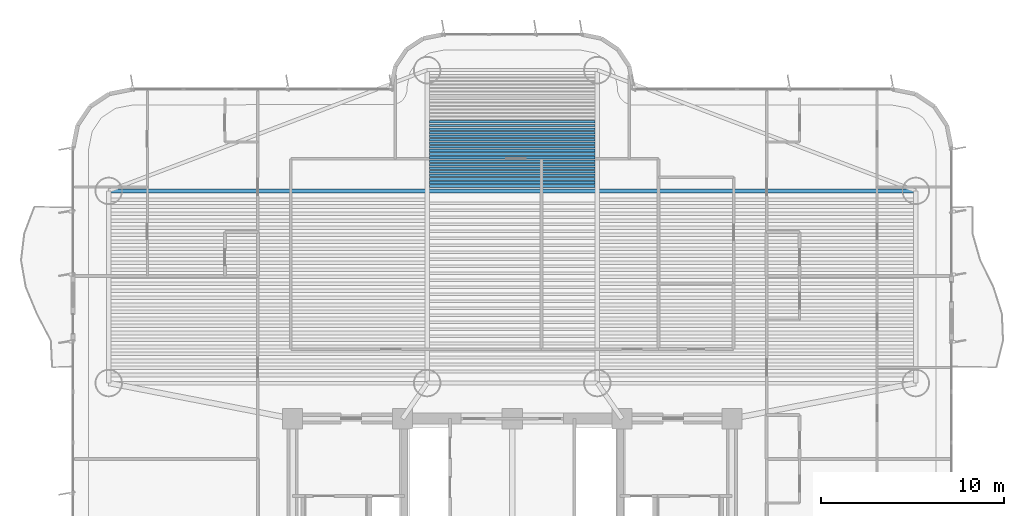
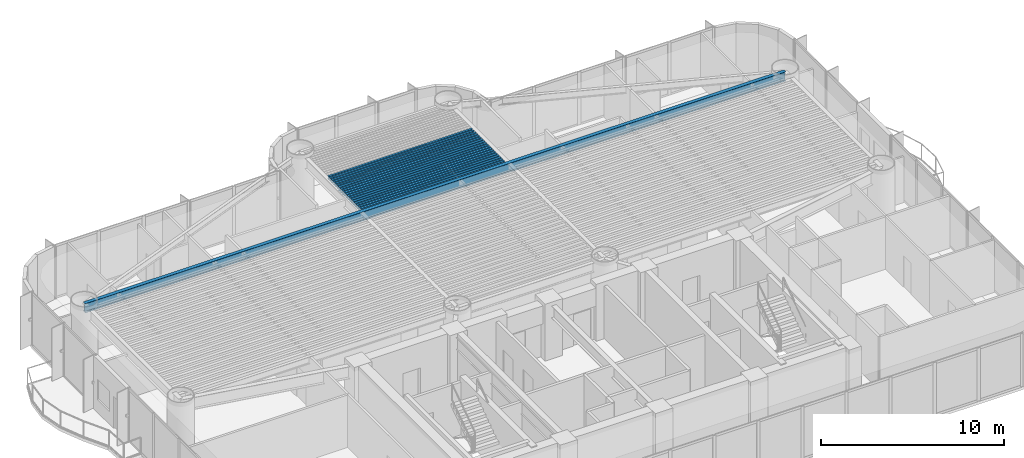
# One storey, part 4 of 18: 20 beams.
"""IFC4 building model written with IfcOpenShell, lengths in metres."""

from ifc_helpers import new_model, si_unit, direction, frame, origin, origin_2d, place, context, subcontext, project, spatial, i_section, extrude, source, transform, mapped, material, material_profile, profile_set, type_object, element, save


model = new_model("IFC4")

# Units and contexts
model_context = context("Model", 3, precision=1e-05, world=origin(), true_north=direction((0.0, 1.0)))
body_context = subcontext(model_context, "Body", "Model", "MODEL_VIEW")
ifc_project = project(units=[si_unit("LENGTHUNIT", "METRE"), si_unit("AREAUNIT", "SQUARE_METRE"), si_unit("VOLUMEUNIT", "CUBIC_METRE"), si_unit("PLANEANGLEUNIT", "RADIAN"), si_unit("MASSUNIT", "GRAM", prefix="KILO")], contexts=[model_context])

# Site, building, storey
site_placement = place(None, origin())
site = spatial("IfcSite", under=ifc_project, at=site_placement, CompositionType="ELEMENT")
building_placement = place(site_placement, origin())
building = spatial("IfcBuilding", under=site, at=building_placement, Name="Brelvock Crest Care Tower", CompositionType="ELEMENT")
storey_placement = place(building_placement, frame((0.0, 0.0, 72.360107421875)))
storey = spatial("IfcBuildingStorey", under=building, at=storey_placement, Name="L18", CompositionType="ELEMENT", Elevation=72.360107421875)

# Beams
ifc_material = material(Name="Steel Grade 350", Category="steel")
ifc_material_profile_1 = material_profile(ifc_material, i_section(OverallWidth=0.22900390625, OverallDepth=0.612060546875, WebThickness=0.011962890625, FlangeThickness=0.01953125, FilletRadius=0.013916015625, at=origin_2d()), Name="610UB125")
ifc_profile_set_1 = profile_set([ifc_material_profile_1], Name="Steel Grade 350")
beam_type_1 = type_object("IfcBeamType", Name="BM-G1", PredefinedType="BEAM", material=ifc_profile_set_1)
shared_shape_1 = source(origin(), body_context, "Body", "SweptSolid", [
    extrude(i_section(OverallWidth=0.22900390625, OverallDepth=0.612060546875, WebThickness=0.011962890625, FlangeThickness=0.01953125, FilletRadius=0.013916015625, at=origin_2d()), origin(), (0.0, 0.0, 1.0), 44.10009765625),
])
beam_placement = place(storey_placement, frame((13.949951171875, 30.449951171875, 3.223876953125), z_axis=(1.0, 0.0, 0.0), x_axis=(0.0, 1.0, 0.0)))
element("IfcBeam", 1, at=beam_placement, inside=storey, type_object=beam_type_1, Name="BM-TWR-L18-11", PredefinedType="BEAM", context=body_context, shape_type="MappedRepresentation", body=[
    mapped(shared_shape_1, transform((0.0, 0.0, 0.0), x_axis=(1.0, 0.0, 0.0), y_axis=(0.0, 1.0, 0.0), z_axis=(0.0, 0.0, 1.0), scale=1.0)),
])
ifc_material_profile_2 = material_profile(ifc_material, i_section(OverallWidth=0.14599609375, OverallDepth=0.256103515625, WebThickness=0.00634765625, FlangeThickness=0.010986328125, FilletRadius=0.0087890625, at=origin_2d()), Name="250UB37.3")
ifc_profile_set_2 = profile_set([ifc_material_profile_2], Name="Steel Grade 350")
beam_type_2 = type_object("IfcBeamType", Name="BM-J3", PredefinedType="JOIST", material=ifc_profile_set_2)
shared_shape_2 = source(origin(), body_context, "Body", "SweptSolid", [
    extrude(i_section(OverallWidth=0.14599609375, OverallDepth=0.256103515625, WebThickness=0.00634765625, FlangeThickness=0.010986328125, FilletRadius=0.0087890625, at=origin_2d()), origin(), (0.0, 0.0, 1.0), 9.06982421875),
])
for number, where, z_axis, x_axis, name in (
    (2, (31.465087890625, 30.714111328125, 3.40185546875), (1.0, 0.0, 0.0), (0.0, 1.0, 0.0), "BM-JN-L18-1"),
    (3, (31.465087890625, 30.90869140625, 3.40185546875), (1.0, 0.0, 0.0), (0.0, 1.0, 0.0), "BM-JN-L18-2"),
    (4, (31.465087890625, 31.103515625, 3.40185546875), (1.0, 0.0, 0.0), (0.0, 1.0, 0.0), "BM-JN-L18-3"),
    (5, (31.465087890625, 31.298095703125, 3.40185546875), (1.0, 0.0, 0.0), (0.0, 1.0, 0.0), "BM-JN-L18-4"),
    (6, (31.465087890625, 31.492919921875, 3.40185546875), (1.0, 0.0, 0.0), (0.0, 1.0, 0.0), "BM-JN-L18-5"),
    (7, (31.465087890625, 31.6875, 3.40185546875), (1.0, 0.0, 0.0), (0.0, 1.0, 0.0), "BM-JN-L18-6"),
    (8, (31.465087890625, 31.882080078125, 3.40185546875), (1.0, 0.0, 0.0), (0.0, 1.0, 0.0), "BM-JN-L18-7"),
    (9, (31.465087890625, 32.076904296875, 3.40185546875), (1.0, 0.0, 0.0), (0.0, 1.0, 0.0), "BM-JN-L18-8"),
    (10, (31.465087890625, 32.271484375, 3.40185546875), (1.0, 0.0, 0.0), (0.0, 1.0, 0.0), "BM-JN-L18-9"),
    (11, (31.465087890625, 32.46630859375, 3.40185546875), (1.0, 0.0, 0.0), (0.0, 1.0, 0.0), "BM-JN-L18-10"),
    (12, (31.465087890625, 32.660888671875, 3.40185546875), (1.0, 0.0, 0.0), (0.0, 1.0, 0.0), "BM-JN-L18-11"),
    (13, (31.465087890625, 32.855712890625, 3.40185546875), (1.0, 0.0, 0.0), (0.0, 1.0, 0.0), "BM-JN-L18-12"),
    (14, (31.465087890625, 33.05029296875, 3.40185546875), (1.0, 0.0, 0.0), (0.0, 1.0, 0.0), "BM-JN-L18-13"),
):
    element("IfcBeam", number, at=place(storey_placement, frame(where, z_axis=z_axis, x_axis=x_axis)), inside=storey, type_object=beam_type_2, Name=name, PredefinedType="JOIST", context=body_context, shape_type="MappedRepresentation", body=[
        mapped(shared_shape_2, transform((0.0, 0.0, 0.0), x_axis=(1.0, 0.0, 0.0), y_axis=(0.0, 1.0, 0.0), z_axis=(0.0, 0.0, 1.0), scale=1.0)),
    ])
ifc_material_profile_3 = material_profile(ifc_material, i_section(OverallWidth=0.134033203125, OverallDepth=0.20703125, WebThickness=0.00634765625, FlangeThickness=0.009521484375, FilletRadius=0.0087890625, at=origin_2d()), Name="200UB29.8")
ifc_profile_set_3 = profile_set([ifc_material_profile_3], Name="Steel Grade 350")
beam_type_3 = type_object("IfcBeamType", Name="BM-J4", PredefinedType="JOIST", material=ifc_profile_set_3)
shared_shape_3 = source(origin(), body_context, "Body", "SweptSolid", [
    extrude(i_section(OverallWidth=0.134033203125, OverallDepth=0.20703125, WebThickness=0.00634765625, FlangeThickness=0.009521484375, FilletRadius=0.0087890625, at=origin_2d()), origin(), (0.0, 0.0, 1.0), 9.06982421875),
])
for number, where, z_axis, x_axis, name in (
    (15, (31.465087890625, 33.2451171875, 3.426513671875), (1.0, 0.0, 0.0), (0.0, 1.0, 0.0), "BM-JN-L18-14"),
    (16, (31.465087890625, 33.439697265625, 3.426513671875), (1.0, 0.0, 0.0), (0.0, 1.0, 0.0), "BM-JN-L18-15"),
    (17, (31.465087890625, 33.634521484375, 3.426513671875), (1.0, 0.0, 0.0), (0.0, 1.0, 0.0), "BM-JN-L18-16"),
    (18, (31.465087890625, 33.8291015625, 3.426513671875), (1.0, 0.0, 0.0), (0.0, 1.0, 0.0), "BM-JN-L18-17"),
    (19, (31.465087890625, 34.02392578125, 3.426513671875), (1.0, 0.0, 0.0), (0.0, 1.0, 0.0), "BM-JN-L18-18"),
    (20, (31.465087890625, 34.218505859375, 3.426513671875), (1.0, 0.0, 0.0), (0.0, 1.0, 0.0), "BM-JN-L18-19"),
):
    element("IfcBeam", number, at=place(storey_placement, frame(where, z_axis=z_axis, x_axis=x_axis)), inside=storey, type_object=beam_type_3, Name=name, PredefinedType="JOIST", context=body_context, shape_type="MappedRepresentation", body=[
        mapped(shared_shape_3, transform((0.0, 0.0, 0.0), x_axis=(1.0, 0.0, 0.0), y_axis=(0.0, 1.0, 0.0), z_axis=(0.0, 0.0, 1.0), scale=1.0)),
    ])

save(model, "model.ifc")
